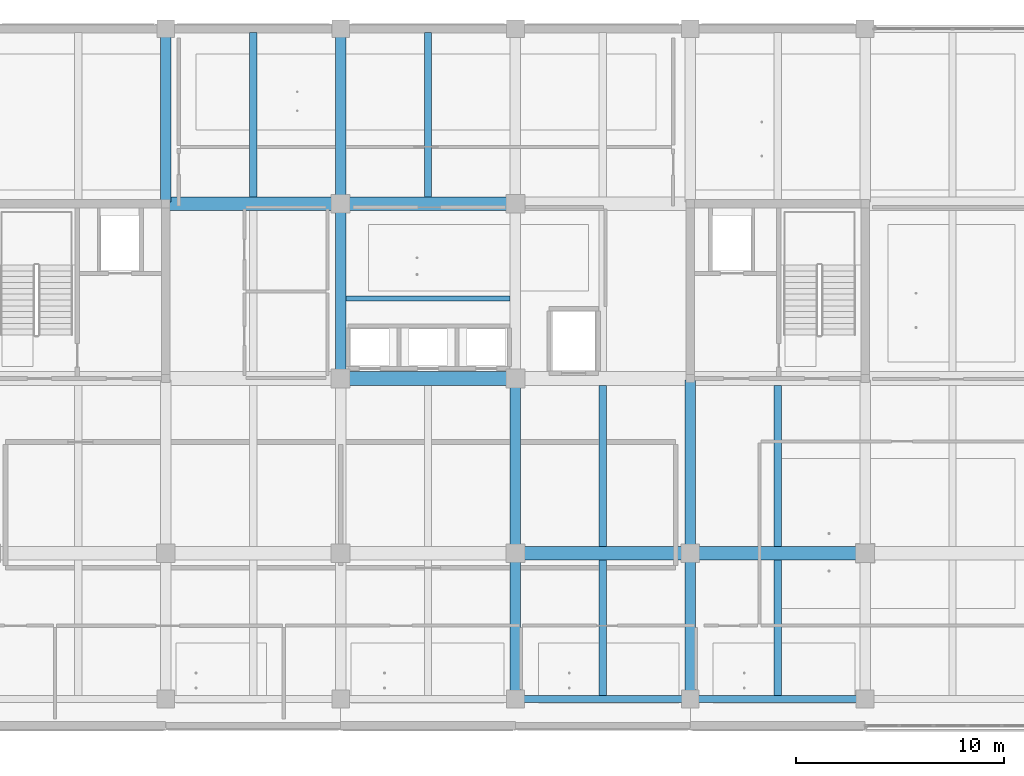
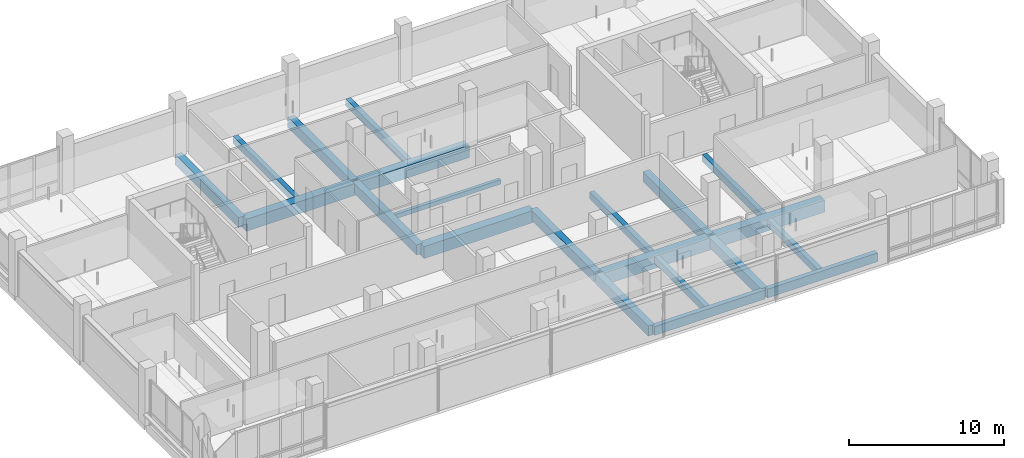
# One storey, part 5 of 36: 21 beams.
"""IFC4 building model written with IfcOpenShell, lengths in metres."""

from ifc_helpers import new_model, si_unit, direction, frame, origin, origin_2d, place, context, subcontext, project, spatial, rectangle, extrude, material, material_profile, profile_set, type_object, element, save


model = new_model("IFC4")

# Units and contexts
model_context = context("Model", 3, precision=1e-05, world=origin(), true_north=direction((0.0, 1.0)))
body_context = subcontext(model_context, "Body", "Model", "MODEL_VIEW")
ifc_project = project(units=[si_unit("LENGTHUNIT", "METRE"), si_unit("AREAUNIT", "SQUARE_METRE"), si_unit("VOLUMEUNIT", "CUBIC_METRE"), si_unit("PLANEANGLEUNIT", "RADIAN"), si_unit("MASSUNIT", "GRAM", prefix="KILO")], contexts=[model_context])

# Site, building, storey
site_placement = place(None, origin())
site = spatial("IfcSite", under=ifc_project, at=site_placement, CompositionType="ELEMENT")
building_placement = place(site_placement, origin())
building = spatial("IfcBuilding", under=site, at=building_placement, Name="Telukmera Botanical Conservatory", CompositionType="ELEMENT")
storey_placement = place(building_placement, frame((0.0, 0.0, 24.0)))
storey = spatial("IfcBuildingStorey", under=building, at=storey_placement, Name="L05", CompositionType="ELEMENT", Elevation=24.0)

# Beams
ifc_material_1 = material(Name="Concrete C40/50", Category="concrete")
ifc_material_profile_1 = material_profile(ifc_material_1, rectangle(XDim=0.64990234375, YDim=0.949951171875, at=origin_2d()), Name="RC 650x950")
ifc_profile_set_1 = profile_set([ifc_material_profile_1], Name="Concrete C40/50")
beam_type_1 = type_object("IfcBeamType", Name="Beam_B2", PredefinedType="BEAM", material=ifc_profile_set_1)
for number, where, z_axis, x_axis, name in (
    (1, (84.080078125, 17.60009765625, -0.47509765625), (1.0, 0.0, 0.0), (0.0, 1.0, 0.0), "Tower Grid Beam L05"),
    (2, (92.47998046875, 17.60009765625, -0.47509765625), (1.0, 0.0, 0.0), (0.0, 1.0, 0.0), "Tower Grid Beam L05"),
    (3, (75.679931640625, 26.0, -0.47509765625), (1.0, 0.0, 0.0), (0.0, 1.0, 0.0), "Tower Grid Beam L05"),
    (4, (67.280029296875, 34.39990234375, -0.47509765625), (1.0, 0.0, 0.0), (0.0, 1.0, 0.0), "Tower Grid Beam L05"),
    (5, (75.679931640625, 34.39990234375, -0.47509765625), (1.0, 0.0, 0.0), (0.0, 1.0, 0.0), "Tower Grid Beam L05"),
):
    element("IfcBeam", number, at=place(storey_placement, frame(where, z_axis=z_axis, x_axis=x_axis)), inside=storey, type_object=beam_type_1, Name=name, PredefinedType="BEAM", context=body_context, shape_type="SweptSolid", body=[
        extrude(rectangle(XDim=0.64990234375, YDim=0.949951171875, at=origin_2d()), origin(), (0.0, 0.0, 1.0), 8.239990234375),
    ])
ifc_material_profile_2 = material_profile(ifc_material_1, rectangle(XDim=0.35009765625, YDim=0.550048828125, at=origin_2d()), Name="RC 350x550")
ifc_profile_set_2 = profile_set([ifc_material_profile_2], Name="Concrete C40/50")
beam_type_2 = type_object("IfcBeamType", Name="Beam_B21", PredefinedType="JOIST", material=ifc_profile_set_2)
for number, where, z_axis, x_axis, name in (
    (6, (71.39990234375, 34.72509765625, -0.27490234375), (0.0, 1.0, 0.0), (-1.0, 0.0, 0.0), "Tower Secondary Floor Joist L05"),
    (7, (79.800048828125, 34.72509765625, -0.27490234375), (0.0, 1.0, 0.0), (-1.0, 0.0, 0.0), "Tower Secondary Floor Joist L05"),
):
    element("IfcBeam", number, at=place(storey_placement, frame(where, z_axis=z_axis, x_axis=x_axis)), inside=storey, type_object=beam_type_2, Name=name, PredefinedType="JOIST", context=body_context, shape_type="SweptSolid", body=[
        extrude(rectangle(XDim=0.35009765625, YDim=0.550048828125, at=origin_2d()), origin(), (0.0, 0.0, 1.0), 7.89990234375),
    ])
beam_1_placement = place(storey_placement, frame((88.199951171875, 10.77490234375, -0.27490234375), z_axis=(0.0, 1.0, 0.0), x_axis=(-1.0, 0.0, 0.0)))
element("IfcBeam", 8, at=beam_1_placement, inside=storey, type_object=beam_type_2, Name="Tower Secondary Floor Joist L05", PredefinedType="JOIST", context=body_context, shape_type="SweptSolid", body=[
    extrude(rectangle(XDim=0.35009765625, YDim=0.550048828125, at=origin_2d()), origin(), (0.0, 0.0, 1.0), 6.5),
])
beam_2_placement = place(storey_placement, frame((88.199951171875, 17.925048828125, -0.27490234375), z_axis=(0.0, 1.0, 0.0), x_axis=(-1.0, 0.0, 0.0)))
element("IfcBeam", 9, at=beam_2_placement, inside=storey, type_object=beam_type_2, Name="Tower Secondary Floor Joist L05", PredefinedType="JOIST", context=body_context, shape_type="SweptSolid", body=[
    extrude(rectangle(XDim=0.35009765625, YDim=0.550048828125, at=origin_2d()), origin(), (0.0, 0.0, 1.0), 7.75),
])
beam_3_placement = place(storey_placement, frame((96.60009765625, 10.77490234375, -0.27490234375), z_axis=(0.0, 1.0, 0.0), x_axis=(-1.0, 0.0, 0.0)))
element("IfcBeam", 10, at=beam_3_placement, inside=storey, type_object=beam_type_2, Name="Tower Secondary Floor Joist L05", PredefinedType="JOIST", context=body_context, shape_type="SweptSolid", body=[
    extrude(rectangle(XDim=0.35009765625, YDim=0.550048828125, at=origin_2d()), origin(), (0.0, 0.0, 1.0), 6.5),
])
beam_4_placement = place(storey_placement, frame((96.60009765625, 17.925048828125, -0.27490234375), z_axis=(0.0, 1.0, 0.0), x_axis=(-1.0, 0.0, 0.0)))
element("IfcBeam", 11, at=beam_4_placement, inside=storey, type_object=beam_type_2, Name="Tower Secondary Floor Joist L05", PredefinedType="JOIST", context=body_context, shape_type="SweptSolid", body=[
    extrude(rectangle(XDim=0.35009765625, YDim=0.550048828125, at=origin_2d()), origin(), (0.0, 0.0, 1.0), 7.75),
])
ifc_material_profile_3 = material_profile(ifc_material_1, rectangle(XDim=0.5, YDim=0.800048828125, at=origin_2d()), Name="RC 500x800")
ifc_profile_set_3 = profile_set([ifc_material_profile_3], Name="Concrete C40/50")
beam_type_3 = type_object("IfcBeamType", Name="Beam_B5", PredefinedType="BEAM", material=ifc_profile_set_3)
for number, where, z_axis, x_axis, name in (
    (12, (67.199951171875, 34.47998046875, -0.39990234375), (0.0, 1.0, 0.0), (-1.0, 0.0, 0.0), "Tower Transverse Beam L05"),
    (13, (75.60009765625, 26.080078125, -0.39990234375), (0.0, 1.0, 0.0), (-1.0, 0.0, 0.0), "Tower Transverse Beam L05"),
    (14, (75.60009765625, 34.47998046875, -0.39990234375), (0.0, 1.0, 0.0), (-1.0, 0.0, 0.0), "Tower Transverse Beam L05"),
):
    element("IfcBeam", number, at=place(storey_placement, frame(where, z_axis=z_axis, x_axis=x_axis)), inside=storey, type_object=beam_type_3, Name=name, PredefinedType="BEAM", context=body_context, shape_type="SweptSolid", body=[
        extrude(rectangle(XDim=0.5, YDim=0.800048828125, at=origin_2d()), origin(), (0.0, 0.0, 1.0), 8.239990234375),
    ])
beam_5_placement = place(storey_placement, frame((84.0, 10.679931640625, -0.39990234375), z_axis=(0.0, 1.0, 0.0), x_axis=(-1.0, 0.0, 0.0)))
element("IfcBeam", 15, at=beam_5_placement, inside=storey, type_object=beam_type_3, Name="Tower Transverse Beam L05", PredefinedType="BEAM", context=body_context, shape_type="SweptSolid", body=[
    extrude(rectangle(XDim=0.5, YDim=0.800048828125, at=origin_2d()), origin(), (0.0, 0.0, 1.0), 6.840087890625),
])
beam_6_placement = place(storey_placement, frame((84.0, 17.679931640625, -0.39990234375), z_axis=(0.0, 1.0, 0.0), x_axis=(-1.0, 0.0, 0.0)))
element("IfcBeam", 16, at=beam_6_placement, inside=storey, type_object=beam_type_3, Name="Tower Transverse Beam L05", PredefinedType="BEAM", context=body_context, shape_type="SweptSolid", body=[
    extrude(rectangle(XDim=0.5, YDim=0.800048828125, at=origin_2d()), origin(), (0.0, 0.0, 1.0), 8.239990234375),
])
beam_7_placement = place(storey_placement, frame((92.39990234375, 10.679931640625, -0.39990234375), z_axis=(0.0, 1.0, 0.0), x_axis=(-1.0, 0.0, 0.0)))
element("IfcBeam", 17, at=beam_7_placement, inside=storey, type_object=beam_type_3, Name="Tower Transverse Beam L05", PredefinedType="BEAM", context=body_context, shape_type="SweptSolid", body=[
    extrude(rectangle(XDim=0.5, YDim=0.800048828125, at=origin_2d()), origin(), (0.0, 0.0, 1.0), 6.840087890625),
])
beam_8_placement = place(storey_placement, frame((92.39990234375, 17.679931640625, -0.39990234375), z_axis=(0.0, 1.0, 0.0), x_axis=(-1.0, 0.0, 0.0)))
element("IfcBeam", 18, at=beam_8_placement, inside=storey, type_object=beam_type_3, Name="Tower Transverse Beam L05", PredefinedType="BEAM", context=body_context, shape_type="SweptSolid", body=[
    extrude(rectangle(XDim=0.5, YDim=0.800048828125, at=origin_2d()), origin(), (0.0, 0.0, 1.0), 8.239990234375),
])
ifc_material_2 = material(Name="Precast concrete C40/50", Category="concrete")
ifc_material_profile_4 = material_profile(ifc_material_2, rectangle(XDim=0.25, YDim=0.35009765625, at=origin_2d()), Name="PC 250x350")
ifc_profile_set_4 = profile_set([ifc_material_profile_4], Name="Precast concrete C40/50")
beam_type_4 = type_object("IfcBeamType", Name="Beam_LN2", PredefinedType="LINTEL", material=ifc_profile_set_4)
beam_9_placement = place(storey_placement, frame((75.85009765625, 29.85009765625, -0.175048828125), z_axis=(1.0, 0.0, 0.0), x_axis=(0.0, 1.0, 0.0)))
element("IfcBeam", 19, at=beam_9_placement, inside=storey, type_object=beam_type_4, Name="Tower Lift Bank Header Lintel L05", PredefinedType="LINTEL", context=body_context, shape_type="SweptSolid", body=[
    extrude(rectangle(XDim=0.25, YDim=0.35009765625, at=origin_2d()), origin(), (0.0, 0.0, 1.0), 7.89990234375),
])
ifc_material_profile_5 = material_profile(ifc_material_2, rectangle(XDim=0.35009765625, YDim=0.699951171875, at=origin_2d()), Name="PC 350x700")
ifc_profile_set_5 = profile_set([ifc_material_profile_5], Name="Precast concrete C40/50")
beam_type_5 = type_object("IfcBeamType", Name="Beam_SP2", PredefinedType="SPANDREL", material=ifc_profile_set_5)
for number, where, z_axis, x_axis, name in (
    (20, (84.080078125, 10.60009765625, -0.35009765625), (1.0, 0.0, 0.0), (0.0, 1.0, 0.0), "Tower Grid Beam L05"),
    (21, (92.47998046875, 10.60009765625, -0.35009765625), (1.0, 0.0, 0.0), (0.0, 1.0, 0.0), "Tower Grid Beam L05"),
):
    element("IfcBeam", number, at=place(storey_placement, frame(where, z_axis=z_axis, x_axis=x_axis)), inside=storey, type_object=beam_type_5, Name=name, PredefinedType="SPANDREL", context=body_context, shape_type="SweptSolid", body=[
        extrude(rectangle(XDim=0.35009765625, YDim=0.699951171875, at=origin_2d()), origin(), (0.0, 0.0, 1.0), 8.239990234375),
    ])

save(model, "model.ifc")
